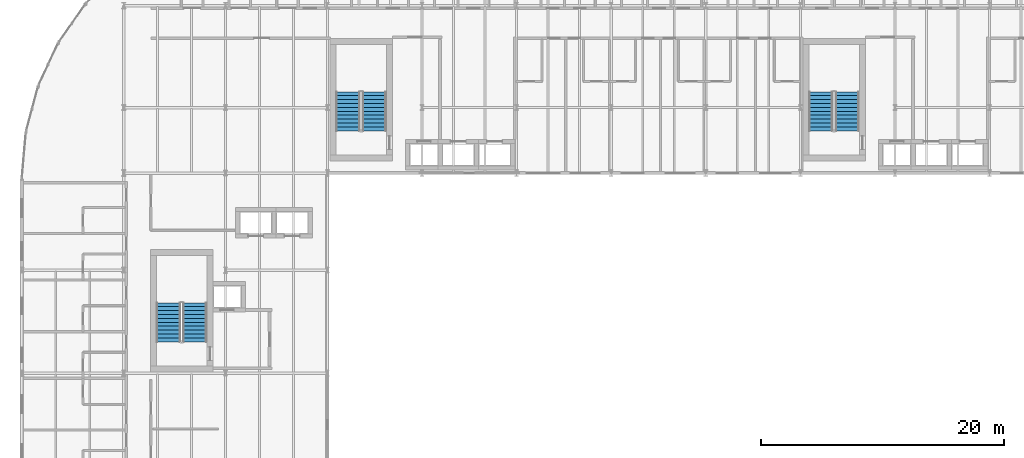
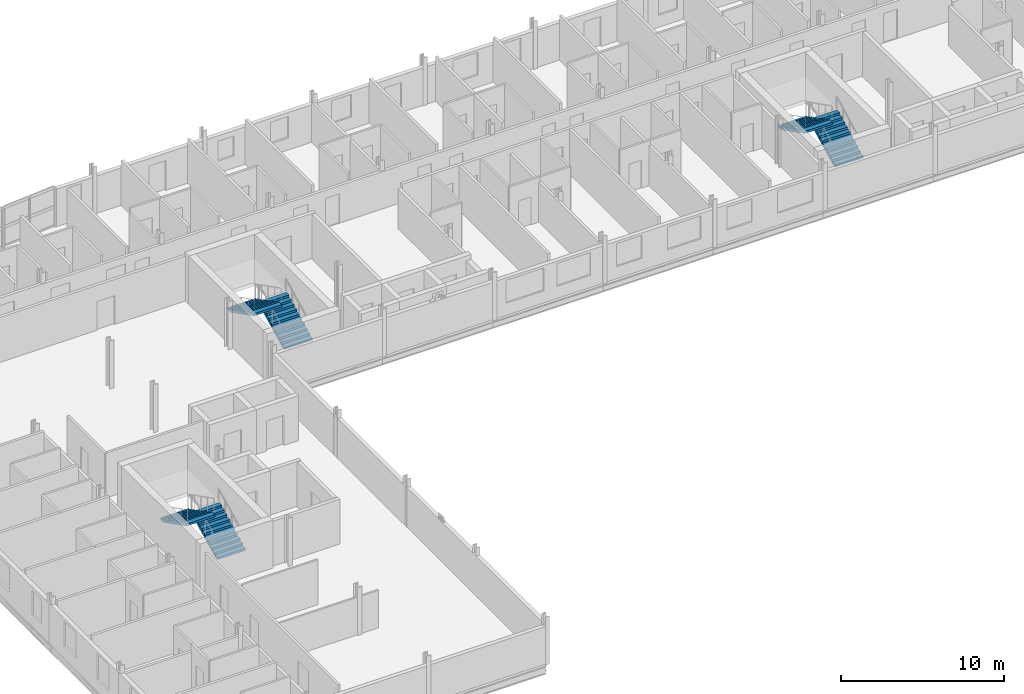
# One storey, part 32 of 36: 6 stair flights, 3 elements without a shape of their own.
"""IFC4 building model written with IfcOpenShell, lengths in metres."""

from ifc_helpers import new_model, si_unit, direction, frame, origin, place, context, subcontext, project, spatial, polyline, outline, extrude, material, type_object, element, aggregate, save


model = new_model("IFC4")

# Units and contexts
model_context = context("Model", 3, precision=1e-05, world=origin(), true_north=direction((0.0, 1.0)))
body_context = subcontext(model_context, "Body", "Model", "MODEL_VIEW")
ifc_project = project(units=[si_unit("LENGTHUNIT", "METRE"), si_unit("AREAUNIT", "SQUARE_METRE"), si_unit("VOLUMEUNIT", "CUBIC_METRE"), si_unit("PLANEANGLEUNIT", "RADIAN"), si_unit("MASSUNIT", "GRAM", prefix="KILO")], contexts=[model_context])

# Site, building, storey
site_placement = place(None, origin())
site = spatial("IfcSite", under=ifc_project, at=site_placement, CompositionType="ELEMENT")
building_placement = place(site_placement, origin())
building = spatial("IfcBuilding", under=site, at=building_placement, Name="Sefraquen Railside Congress Hotel", CompositionType="ELEMENT")
storey_placement = place(building_placement, frame((0.0, 0.0, 28.199951171875)))
storey = spatial("IfcBuildingStorey", under=building, at=storey_placement, Name="L06", CompositionType="ELEMENT", Elevation=28.199951171875)

# Stair, stair flights
ifc_material = material(Name="Concrete C40/50", Category="concrete")
stair_type_1 = type_object("IfcStairType", Name="TST-DOG-198-360", PredefinedType="HALF_TURN_STAIR", material=ifc_material)
stair_1_placement = place(storey_placement, origin())
stair_1 = element("IfcStair", 1, at=stair_1_placement, inside=storey, type_object=stair_type_1, Name="L06 Pressurized escape stair ST-H01", PredefinedType="HALF_TURN_STAIR")
stair_flight_type_1 = type_object("IfcStairFlightType", Name="TSF-FLT-198-360", PredefinedType="STRAIGHT", material=ifc_material)
stair_flight_1_placement = place(storey_placement, frame((14.27001953125, 82.080078125, 0.0), z_axis=(0.0, 0.0, 1.0), x_axis=(0.0, 1.0, 0.0)))
stair_flight_1 = element("IfcStairFlight", 2, at=stair_flight_1_placement, type_object=stair_flight_type_1, Name="ST-H01 flight 1", NumberOfRisers=11, NumberOfTreads=10, PredefinedType="STRAIGHT", RiserHeight=0.163636364, TreadLength=0.322, context=body_context, shape_type="SweptSolid", body=[
    extrude(outline(polyline([(0.0, 0.0), (0.0, 0.16357421875), (0.322021484375, 0.16357421875), (0.322021484375, 0.327392578125), (0.64404296875, 0.327392578125), (0.64404296875, 0.490966796875), (0.966064453125, 0.490966796875), (0.966064453125, 0.654541015625), (1.2880859375, 0.654541015625), (1.2880859375, 0.818115234375), (1.610107421875, 0.818115234375), (1.610107421875, 0.98193359375), (1.931884765625, 0.98193359375), (1.931884765625, 1.1455078125), (2.25390625, 1.1455078125), (2.25390625, 1.30908203125), (2.575927734375, 1.30908203125), (2.575927734375, 1.47265625), (2.89794921875, 1.47265625), (2.89794921875, 1.636474609375), (3.219970703125, 1.636474609375), (3.219970703125, 1.800048828125), (3.219970703125, 1.46826171875), (0.330810546875, 0.0), (0.0, 0.0)])), frame((0.0, 0.989990234375, 0.0), z_axis=(0.0, -1.0, 0.0), x_axis=(1.0, 0.0, 0.0)), (0.0, 0.0, 1.0), 1.97998046875),
])
stair_flight_2_placement = place(storey_placement, frame((12.090087890625, 85.300048828125, 1.800048828125), z_axis=(0.0, 0.0, 1.0), x_axis=(0.0, -1.0, 0.0)))
stair_flight_2 = element("IfcStairFlight", 3, at=stair_flight_2_placement, type_object=stair_flight_type_1, Name="ST-H01 flight 2", NumberOfRisers=11, NumberOfTreads=10, PredefinedType="STRAIGHT", RiserHeight=0.163636364, TreadLength=0.322, context=body_context, shape_type="SweptSolid", body=[
    extrude(outline(polyline([(0.0, 0.0), (0.0, 0.16357421875), (0.322021484375, 0.16357421875), (0.322021484375, 0.327392578125), (0.64404296875, 0.327392578125), (0.64404296875, 0.490966796875), (0.966064453125, 0.490966796875), (0.966064453125, 0.654541015625), (1.2880859375, 0.654541015625), (1.2880859375, 0.818115234375), (1.610107421875, 0.818115234375), (1.610107421875, 0.98193359375), (1.931884765625, 0.98193359375), (1.931884765625, 1.1455078125), (2.25390625, 1.1455078125), (2.25390625, 1.30908203125), (2.575927734375, 1.30908203125), (2.575927734375, 1.47265625), (2.89794921875, 1.47265625), (2.89794921875, 1.636474609375), (3.219970703125, 1.636474609375), (3.219970703125, 1.800048828125), (3.219970703125, 1.46826171875), (0.330810546875, 0.0), (0.0, 0.0)])), frame((0.0, 0.989990234375, 0.0), z_axis=(0.0, -1.0, 0.0), x_axis=(1.0, 0.0, 0.0)), (0.0, 0.0, 1.0), 1.97998046875),
])
aggregate(stair_1, [stair_flight_1, stair_flight_2])

stair_type_2 = type_object("IfcStairType", Name="TST-DOG-198-420", PredefinedType="HALF_TURN_STAIR", material=ifc_material)
stair_2_placement = place(storey_placement, origin())
stair_2 = element("IfcStair", 4, at=stair_2_placement, inside=storey, type_object=stair_type_2, Name="L06 Pressurized escape stair ST-H02", PredefinedType="HALF_TURN_STAIR")
stair_flight_type_2 = type_object("IfcStairFlightType", Name="TSF-FLT-198-420", PredefinedType="STRAIGHT", material=ifc_material)
stair_flight_3_placement = place(storey_placement, frame((29.070068359375, 99.47998046875, 0.0), z_axis=(0.0, 0.0, 1.0), x_axis=(0.0, 1.0, 0.0)))
stair_flight_3 = element("IfcStairFlight", 5, at=stair_flight_3_placement, type_object=stair_flight_type_2, Name="ST-H02 flight 1", NumberOfRisers=11, NumberOfTreads=10, PredefinedType="STRAIGHT", RiserHeight=0.163636364, TreadLength=0.322, context=body_context, shape_type="SweptSolid", body=[
    extrude(outline(polyline([(0.0, 0.0), (0.0, 0.16357421875), (0.322021484375, 0.16357421875), (0.322021484375, 0.327392578125), (0.64404296875, 0.327392578125), (0.64404296875, 0.490966796875), (0.966064453125, 0.490966796875), (0.966064453125, 0.654541015625), (1.2880859375, 0.654541015625), (1.2880859375, 0.818115234375), (1.610107421875, 0.818115234375), (1.610107421875, 0.98193359375), (1.931884765625, 0.98193359375), (1.931884765625, 1.1455078125), (2.25390625, 1.1455078125), (2.25390625, 1.30908203125), (2.575927734375, 1.30908203125), (2.575927734375, 1.47265625), (2.89794921875, 1.47265625), (2.89794921875, 1.636474609375), (3.219970703125, 1.636474609375), (3.219970703125, 1.800048828125), (3.219970703125, 1.46826171875), (0.330810546875, 0.0), (0.0, 0.0)])), frame((0.0, 0.989990234375, 0.0), z_axis=(0.0, -1.0, 0.0), x_axis=(1.0, 0.0, 0.0)), (0.0, 0.0, 1.0), 1.97998046875),
])
stair_flight_4_placement = place(storey_placement, frame((26.889892578125, 102.699951171875, 1.800048828125), z_axis=(0.0, 0.0, 1.0), x_axis=(0.0, -1.0, 0.0)))
stair_flight_4 = element("IfcStairFlight", 6, at=stair_flight_4_placement, type_object=stair_flight_type_2, Name="ST-H02 flight 2", NumberOfRisers=11, NumberOfTreads=10, PredefinedType="STRAIGHT", RiserHeight=0.163636364, TreadLength=0.322, context=body_context, shape_type="SweptSolid", body=[
    extrude(outline(polyline([(0.0, 0.0), (0.0, 0.16357421875), (0.322021484375, 0.16357421875), (0.322021484375, 0.327392578125), (0.64404296875, 0.327392578125), (0.64404296875, 0.490966796875), (0.966064453125, 0.490966796875), (0.966064453125, 0.654541015625), (1.2880859375, 0.654541015625), (1.2880859375, 0.818115234375), (1.610107421875, 0.818115234375), (1.610107421875, 0.98193359375), (1.931884765625, 0.98193359375), (1.931884765625, 1.1455078125), (2.25390625, 1.1455078125), (2.25390625, 1.30908203125), (2.575927734375, 1.30908203125), (2.575927734375, 1.47265625), (2.89794921875, 1.47265625), (2.89794921875, 1.636474609375), (3.219970703125, 1.636474609375), (3.219970703125, 1.800048828125), (3.219970703125, 1.46826171875), (0.330810546875, 0.0), (0.0, 0.0)])), frame((0.0, 0.989990234375, 0.0), z_axis=(0.0, -1.0, 0.0), x_axis=(1.0, 0.0, 0.0)), (0.0, 0.0, 1.0), 1.97998046875),
])
aggregate(stair_2, [stair_flight_3, stair_flight_4])

stair_type_3 = type_object("IfcStairType", Name="TST-DOG-198-450", PredefinedType="HALF_TURN_STAIR", material=ifc_material)
stair_3_placement = place(storey_placement, origin())
stair_3 = element("IfcStair", 7, at=stair_3_placement, inside=storey, type_object=stair_type_3, Name="L06 Pressurized escape stair ST-H03", PredefinedType="HALF_TURN_STAIR")
stair_flight_type_3 = type_object("IfcStairFlightType", Name="TSF-FLT-198-450", PredefinedType="STRAIGHT", material=ifc_material)
stair_flight_5_placement = place(storey_placement, frame((68.070068359375, 99.47998046875, 0.0), z_axis=(0.0, 0.0, 1.0), x_axis=(0.0, 1.0, 0.0)))
stair_flight_5 = element("IfcStairFlight", 8, at=stair_flight_5_placement, type_object=stair_flight_type_3, Name="ST-H03 flight 1", NumberOfRisers=11, NumberOfTreads=10, PredefinedType="STRAIGHT", RiserHeight=0.163636364, TreadLength=0.322, context=body_context, shape_type="SweptSolid", body=[
    extrude(outline(polyline([(0.0, 0.0), (0.0, 0.16357421875), (0.322021484375, 0.16357421875), (0.322021484375, 0.327392578125), (0.64404296875, 0.327392578125), (0.64404296875, 0.490966796875), (0.966064453125, 0.490966796875), (0.966064453125, 0.654541015625), (1.2880859375, 0.654541015625), (1.2880859375, 0.818115234375), (1.610107421875, 0.818115234375), (1.610107421875, 0.98193359375), (1.931884765625, 0.98193359375), (1.931884765625, 1.1455078125), (2.25390625, 1.1455078125), (2.25390625, 1.30908203125), (2.575927734375, 1.30908203125), (2.575927734375, 1.47265625), (2.89794921875, 1.47265625), (2.89794921875, 1.636474609375), (3.219970703125, 1.636474609375), (3.219970703125, 1.800048828125), (3.219970703125, 1.46826171875), (0.330810546875, 0.0), (0.0, 0.0)])), frame((0.0, 0.989990234375, 0.0), z_axis=(0.0, -1.0, 0.0), x_axis=(1.0, 0.0, 0.0)), (0.0, 0.0, 1.0), 1.97998046875),
])
stair_flight_6_placement = place(storey_placement, frame((65.889892578125, 102.699951171875, 1.800048828125), z_axis=(0.0, 0.0, 1.0), x_axis=(0.0, -1.0, 0.0)))
stair_flight_6 = element("IfcStairFlight", 9, at=stair_flight_6_placement, type_object=stair_flight_type_3, Name="ST-H03 flight 2", NumberOfRisers=11, NumberOfTreads=10, PredefinedType="STRAIGHT", RiserHeight=0.163636364, TreadLength=0.322, context=body_context, shape_type="SweptSolid", body=[
    extrude(outline(polyline([(0.0, 0.0), (0.0, 0.16357421875), (0.322021484375, 0.16357421875), (0.322021484375, 0.327392578125), (0.64404296875, 0.327392578125), (0.64404296875, 0.490966796875), (0.966064453125, 0.490966796875), (0.966064453125, 0.654541015625), (1.2880859375, 0.654541015625), (1.2880859375, 0.818115234375), (1.610107421875, 0.818115234375), (1.610107421875, 0.98193359375), (1.931884765625, 0.98193359375), (1.931884765625, 1.1455078125), (2.25390625, 1.1455078125), (2.25390625, 1.30908203125), (2.575927734375, 1.30908203125), (2.575927734375, 1.47265625), (2.89794921875, 1.47265625), (2.89794921875, 1.636474609375), (3.219970703125, 1.636474609375), (3.219970703125, 1.800048828125), (3.219970703125, 1.46826171875), (0.330810546875, 0.0), (0.0, 0.0)])), frame((0.0, 0.989990234375, 0.0), z_axis=(0.0, -1.0, 0.0), x_axis=(1.0, 0.0, 0.0)), (0.0, 0.0, 1.0), 1.97998046875),
])
aggregate(stair_3, [stair_flight_5, stair_flight_6])

save(model, "model.ifc")
